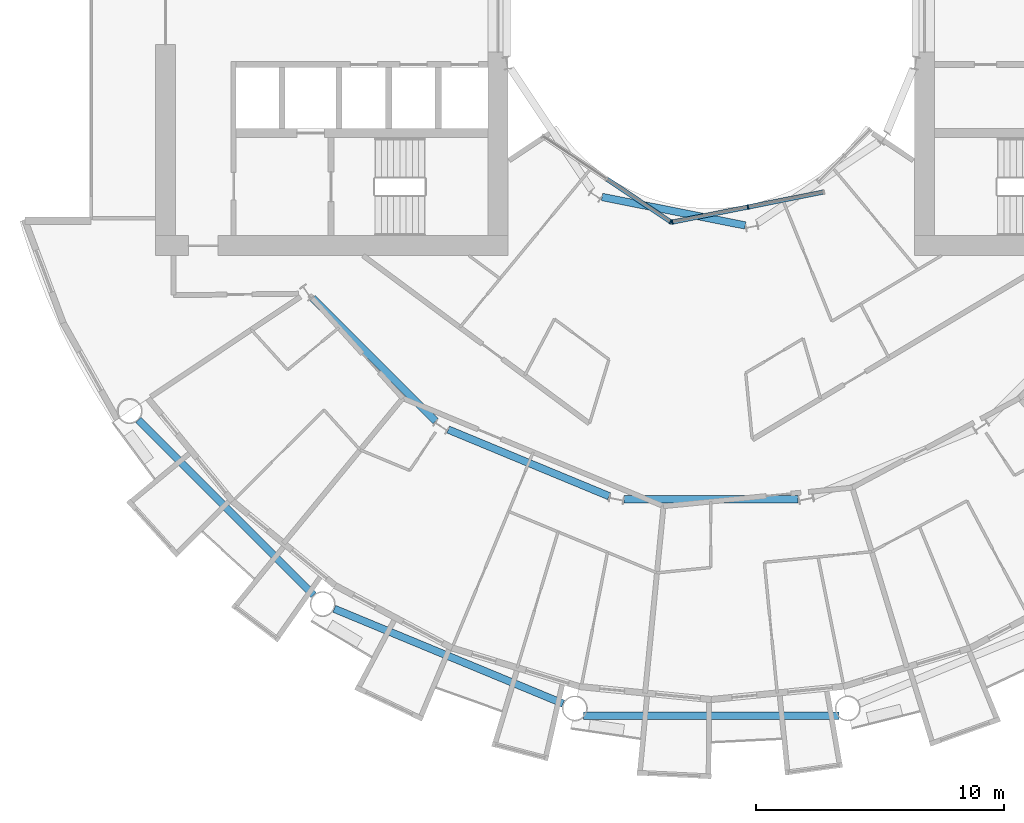
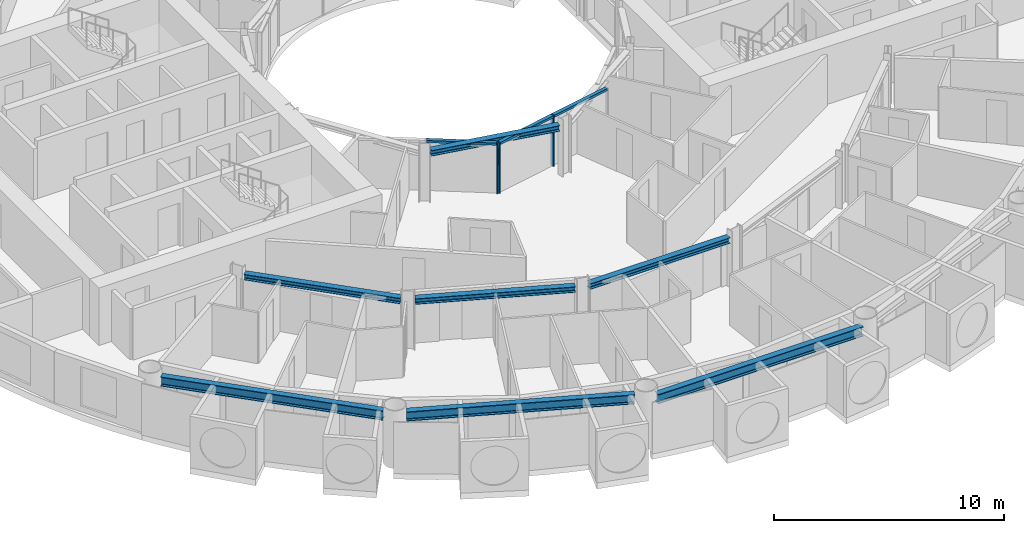
# One storey, part 4 of 26: 7 beams, 6 members, 2 elements without a shape of their own.
"""IFC4 building model written with IfcOpenShell, lengths in metres."""

import ifcopenshell
import ifcopenshell.guid

model = None  # the IFC model being written
_history = None  # IfcOwnerHistory: only IFC2X3 demands one
_inside = {}  # id of a spatial element -> (the spatial element, [elements in it])
_under = {}  # id of a project, library or spatial element -> (it, [spatial elements below it])
_declared = {}  # id of a project -> (the project, [libraries it declares])
_typed = {}  # id of a type object -> (the type object, [elements of that type])
_made_of = {}  # id of a material, layer set ... -> (it, [elements and type objects made of it])


def new_model(schema):
    """Start an empty IFC model of exactly this schema.

    Asked for "IFC4X3", IfcOpenShell would pick the latest addendum, in which some entities
    have other attributes; the version numbers below select the first issue.
    IFC2X3 requires an IfcOwnerHistory on every rooted entity: one is made here for all.
    """
    global model, _history
    if schema == "IFC4X3":
        model = ifcopenshell.file(schema_version=(4, 3, 0, 0))
    else:
        model = ifcopenshell.file(schema=schema)
    _inside.clear()
    _under.clear()
    _declared.clear()
    _typed.clear()
    _made_of.clear()
    _history = None
    if model.schema == "IFC2X3":
        org = make("IfcOrganization", Name="unknown")
        user = make(
            "IfcPersonAndOrganization",
            ThePerson=make("IfcPerson", FamilyName="unknown"),
            TheOrganization=org,
        )
        app = make(
            "IfcApplication",
            ApplicationDeveloper=org,
            Version="unknown",
            ApplicationFullName="unknown",
            ApplicationIdentifier="unknown",
        )
        _history = make(
            "IfcOwnerHistory",
            OwningUser=user,
            OwningApplication=app,
            ChangeAction="ADDED",
            CreationDate=0,
        )
    return model


def make(cls, **values):
    """One entity of the class cls with the attributes given. An attribute that is None is left unset."""
    return model.create_entity(
        cls, **{name: value for name, value in values.items() if value is not None}
    )


def rooted(cls, **values):
    """An entity with a GlobalId (a new one), such as an element, a storey or a relation."""
    return make(cls, GlobalId=ifcopenshell.guid.new(), OwnerHistory=_history, **values)


def si_unit(unit_type, name, prefix=None):
    """IfcSIUnit, for example si_unit("LENGTHUNIT", "METRE", prefix="MILLI")."""
    return make("IfcSIUnit", UnitType=unit_type, Prefix=prefix, Name=name)


def assignment(units):
    """IfcUnitAssignment: the units of a project."""
    return None if units is None else make("IfcUnitAssignment", Units=units)


def point(xyz):
    """IfcCartesianPoint."""
    return None if xyz is None else make("IfcCartesianPoint", Coordinates=xyz)


def direction(xyz):
    """IfcDirection."""
    return None if xyz is None else make("IfcDirection", DirectionRatios=xyz)


def frame(location, z_axis=None, x_axis=None):
    """IfcAxis2Placement3D, a coordinate frame: its origin and axes. An axis left out is left unset."""
    return make(
        "IfcAxis2Placement3D",
        Location=point(location),
        Axis=direction(z_axis),
        RefDirection=direction(x_axis),
    )


def frame_2d(location, x_axis=None):
    """IfcAxis2Placement2D, a coordinate frame in the plane: its origin and x axis."""
    return make(
        "IfcAxis2Placement2D", Location=point(location), RefDirection=direction(x_axis)
    )


def origin():
    """The frame at (0, 0, 0) with its axes left unset."""
    return frame((0.0, 0.0, 0.0))


def origin_2d():
    """The frame at (0, 0) in the plane with its x axis left unset."""
    return frame_2d((0.0, 0.0))


def place(relative_to, where):
    """IfcLocalPlacement: puts the frame where relative to a parent placement (None: the world)."""
    return make(
        "IfcLocalPlacement", PlacementRelTo=relative_to, RelativePlacement=where
    )


def context(
    kind, dimensions, precision=None, world=None, true_north=None, identifier=None
):
    """IfcGeometricRepresentationContext, for example the 3D "Model" context."""
    return make(
        "IfcGeometricRepresentationContext",
        ContextIdentifier=identifier,
        ContextType=kind,
        CoordinateSpaceDimension=dimensions,
        Precision=precision,
        WorldCoordinateSystem=world,
        TrueNorth=true_north,
    )


def subcontext(parent, identifier, kind, view, scale=None):
    """IfcGeometricRepresentationSubContext, for example "Body" below "Model"."""
    return make(
        "IfcGeometricRepresentationSubContext",
        ContextIdentifier=identifier,
        ContextType=kind,
        ParentContext=parent,
        TargetScale=scale,
        TargetView=view,
    )


def project(units=None, contexts=None):
    """IfcProject with its units and contexts."""
    return rooted(
        "IfcProject",
        Name="project",
        RepresentationContexts=contexts,
        UnitsInContext=assignment(units),
    )


def spatial(cls, under=None, at=None, **own):
    """A site, building, storey or space (cls), placed at a placement, below another one or the project."""
    s = rooted(cls, ObjectPlacement=at, **own)
    if under is not None:
        _under.setdefault(under.id(), (under, []))[1].append(s)
    return s


def profile(cls, at=None, kind="AREA", **sizes):
    """A parametric profile (cls). Its sizes go by their IFC names, for example OverallWidth=200.0."""
    return make(cls, ProfileType=kind, Position=at, **sizes)


def rectangle(**sizes):
    """IfcRectangleProfileDef."""
    return profile("IfcRectangleProfileDef", **sizes)


def i_section(**sizes):
    """IfcIShapeProfileDef."""
    return profile("IfcIShapeProfileDef", **sizes)


def extrude(swept, where, along, depth):
    """IfcExtrudedAreaSolid: the profile swept, set in the frame where, extruded along a direction by depth."""
    return make(
        "IfcExtrudedAreaSolid",
        SweptArea=swept,
        Position=where,
        ExtrudedDirection=direction(along),
        Depth=depth,
    )


def shape(context_of_items, identifier, shape_type, items):
    """IfcShapeRepresentation: the items that make up one representation, for example the "Body"."""
    return make(
        "IfcShapeRepresentation",
        ContextOfItems=context_of_items,
        RepresentationIdentifier=identifier,
        RepresentationType=shape_type,
        Items=items,
    )


def material(Name=None, Category=None):
    """IfcMaterial."""
    return make("IfcMaterial", Name=Name, Category=Category)


def layer(
    of_material, thickness, ventilated=None, Name=None, Category=None, Priority=None
):
    """IfcMaterialLayer: one layer of a wall or slab, of a material (None: an air gap)."""
    return make(
        "IfcMaterialLayer",
        Material=of_material,
        LayerThickness=thickness,
        IsVentilated=ventilated,
        Name=Name,
        Category=Category,
        Priority=Priority,
    )


def layer_set(layers, Name=None):
    """IfcMaterialLayerSet."""
    return make("IfcMaterialLayerSet", MaterialLayers=layers, LayerSetName=Name)


def material_profile(
    of_material, cross_section, Name=None, Category=None, Priority=None
):
    """IfcMaterialProfile: a cross section and its material."""
    return make(
        "IfcMaterialProfile",
        Name=Name,
        Material=of_material,
        Profile=cross_section,
        Priority=Priority,
        Category=Category,
    )


def profile_set(profiles, Name=None, composite=None):
    """IfcMaterialProfileSet."""
    return make(
        "IfcMaterialProfileSet",
        Name=Name,
        MaterialProfiles=profiles,
        CompositeProfile=composite,
    )


def made_of(thing, what):
    """Note that an element or type object is made of a material, layer set ...; save() writes the relation."""
    if what is not None:
        _made_of.setdefault(what.id(), (what, []))[1].append(thing)
    return thing


def type_object(cls, material=None, **own):
    """A type object (cls), such as IfcWallType, which elements share."""
    return made_of(rooted(cls, **own), material)


def element(
    cls,
    number,
    at=None,
    inside=None,
    cuts=None,
    type_object=None,
    material=None,
    context=None,
    identifier="Body",
    shape_type=None,
    held_by="IfcProductDefinitionShape",
    body=None,
    shapes=None,
    **own,
):
    """One element of the class cls, such as IfcWall. Its Tag is "e" and its number.

    at: its placement. inside: the storey or other place that contains it. cuts: it is an
    opening in that element (IfcRelVoidsElement). A single representation is given by context,
    identifier, shape_type and body (its items); several are given by shapes. held_by: the class
    of the entity that holds the representations. save() writes the other relations.
    """
    e = rooted(cls, Tag="e%d" % number, ObjectPlacement=at, **own)
    if body is not None:
        shapes = [shape(context, identifier, shape_type, body)]
    if shapes is not None:
        e.Representation = make(held_by, Representations=shapes)
    if inside is not None:
        _inside.setdefault(inside.id(), (inside, []))[1].append(e)
    if cuts is not None:
        rooted(
            "IfcRelVoidsElement", RelatingBuildingElement=cuts, RelatedOpeningElement=e
        )
    if type_object is not None:
        _typed.setdefault(type_object.id(), (type_object, []))[1].append(e)
    return made_of(e, material)


def aggregate(whole, parts):
    """IfcRelAggregates: a whole, such as a stair, and the parts it consists of."""
    return rooted("IfcRelAggregates", RelatingObject=whole, RelatedObjects=parts)


def save(model, path):
    """Write the relations noted so far, then the file.

    IfcRelAggregates (storeys below a building ...), IfcRelContainedInSpatialStructure (elements
    in a storey), IfcRelDefinesByType, IfcRelAssociatesMaterial and IfcRelDeclares: one each for
    every whole, place, type object, material and project.
    """
    for whole, parts in _under.values():
        aggregate(whole, parts)
    for where, things in _inside.values():
        rooted(
            "IfcRelContainedInSpatialStructure",
            RelatedElements=things,
            RelatingStructure=where,
        )
    for kind, things in _typed.values():
        rooted("IfcRelDefinesByType", RelatedObjects=things, RelatingType=kind)
    for what, things in _made_of.values():
        rooted("IfcRelAssociatesMaterial", RelatedObjects=things, RelatingMaterial=what)
    for by, libraries in _declared.values():
        rooted("IfcRelDeclares", RelatingContext=by, RelatedDefinitions=libraries)
    model.write(path)


model = new_model("IFC4")

# Units and contexts
model_context = context("Model", 3, precision=1e-05, world=origin(), true_north=direction((0.0, 1.0)))
body_context = subcontext(model_context, "Body", "Model", "MODEL_VIEW")
ifc_project = project(units=[si_unit("LENGTHUNIT", "METRE"), si_unit("AREAUNIT", "SQUARE_METRE"), si_unit("VOLUMEUNIT", "CUBIC_METRE"), si_unit("PLANEANGLEUNIT", "RADIAN"), si_unit("MASSUNIT", "GRAM", prefix="KILO")], contexts=[model_context])

# Site, building, storey
site_placement = place(None, origin())
site = spatial("IfcSite", under=ifc_project, at=site_placement, CompositionType="ELEMENT")
building_placement = place(site_placement, origin())
building = spatial("IfcBuilding", under=site, at=building_placement, Name="Maasbend Ring Residences", CompositionType="ELEMENT")
storey_placement = place(building_placement, frame((0.0, 0.0, 50.25)))
storey = spatial("IfcBuildingStorey", under=building, at=storey_placement, Name="L14", CompositionType="ELEMENT", Elevation=50.25)

# Curtain wall, member
ifc_material_1 = material(Name="Aluminium and clear glass", Category="aluminium")
ifc_layer = layer(ifc_material_1, 0.179931640625)
ifc_layer_set = layer_set([ifc_layer], Name="CW-W")
curtain_wall_type = type_object("IfcCurtainWallType", Name="CW-W", PredefinedType="NOTDEFINED", material=ifc_layer_set)
curtain_wall_1_placement = place(storey_placement, origin())
curtain_wall_1 = element("IfcCurtainWall", 1, at=curtain_wall_1_placement, inside=storey, type_object=curtain_wall_type, Name="Well curtain wall S1", PredefinedType="NOTDEFINED")
ifc_material_2 = material(Name="Aluminium 6063-T6", Category="aluminium")
ifc_material_profile_1 = material_profile(ifc_material_2, rectangle(XDim=0.179931640625, YDim=0.06005859375, at=origin_2d()), Name="AL 180x60")
ifc_profile_set_1 = profile_set([ifc_material_profile_1], Name="Aluminium 6063-T6")
member_type_1 = type_object("IfcMemberType", Name="CWM-W", PredefinedType="MULLION", material=ifc_profile_set_1)
member_1_placement = place(storey_placement, frame((-1.627685546875, -8.040771484375, 0.0), z_axis=(0.0, 0.0, 1.0), x_axis=(0.55557023302, 0.831469612303, 0.0)))
member_1 = element("IfcMember", 2, at=member_1_placement, type_object=member_type_1, Name="Mullion well face", PredefinedType="MULLION", context=body_context, shape_type="SweptSolid", body=[
    extrude(rectangle(XDim=0.179931640625, YDim=0.06005859375, at=origin_2d()), origin(), (0.0, 0.0, 1.0), 2.699951171875),
])

# Curtain wall, members
curtain_wall_2_placement = place(storey_placement, origin())
curtain_wall_2 = element("IfcCurtainWall", 3, at=curtain_wall_2_placement, inside=storey, type_object=curtain_wall_type, Name="Well curtain wall S2", PredefinedType="NOTDEFINED")
member_2_placement = place(storey_placement, frame((-1.5732421875, -8.0517578125, 0.0), z_axis=(0.0, 0.0, 1.0), x_axis=(-0.195090322016, 0.980785280403, 0.0)))
member_2 = element("IfcMember", 4, at=member_2_placement, type_object=member_type_1, Name="Mullion well face", PredefinedType="MULLION", context=body_context, shape_type="SweptSolid", body=[
    extrude(rectangle(XDim=0.179931640625, YDim=0.06005859375, at=origin_2d()), origin(), (0.0, 0.0, 1.0), 2.699951171875),
])
member_3_placement = place(storey_placement, frame((1.480712890625, -7.444091796875, 0.0), z_axis=(0.0, 0.0, 1.0), x_axis=(-0.195090322016, 0.980785280403, 0.0)))
member_3 = element("IfcMember", 5, at=member_3_placement, type_object=member_type_1, Name="Mullion well face", PredefinedType="MULLION", context=body_context, shape_type="SweptSolid", body=[
    extrude(rectangle(XDim=0.179931640625, YDim=0.06005859375, at=origin_2d()), origin(), (0.0, 0.0, 1.0), 2.699951171875),
])

# Member
ifc_material_3 = material(Name="Aluminium 6063-T6", Category="aluminium")
ifc_material_profile_2 = material_profile(ifc_material_3, rectangle(XDim=0.179931640625, YDim=0.1201171875, at=origin_2d()), Name="AL 180x120")
ifc_profile_set_2 = profile_set([ifc_material_profile_2], Name="Aluminium 6063-T6")
member_type_2 = type_object("IfcMemberType", Name="CWT-W", PredefinedType="USERDEFINED", material=ifc_profile_set_2)
member_4_placement = place(storey_placement, frame((-4.19189453125, -6.32763671875, 2.639892578125), z_axis=(0.831496422459, -0.555530106689, 0.0), x_axis=(0.555530106689, 0.831496422459, 0.0)))
member_4 = element("IfcMember", 6, at=member_4_placement, type_object=member_type_2, Name="Transom well face", ObjectType="TRANSOM", PredefinedType="USERDEFINED", context=body_context, shape_type="SweptSolid", body=[
    extrude(rectangle(XDim=0.179931640625, YDim=0.1201171875, at=origin_2d()), origin(), (0.0, 0.0, 1.0), 3.053955078125),
])

aggregate(curtain_wall_1, [member_1, member_4])

member_5_placement = place(storey_placement, frame((-1.5439453125, -8.0458984375, 2.639892578125), z_axis=(0.980776956105, 0.195132166424, 0.0), x_axis=(-0.195132166424, 0.980776956105, 0.0)))
member_5 = element("IfcMember", 7, at=member_5_placement, type_object=member_type_2, Name="Transom well face", ObjectType="TRANSOM", PredefinedType="USERDEFINED", context=body_context, shape_type="SweptSolid", body=[
    extrude(rectangle(XDim=0.179931640625, YDim=0.1201171875, at=origin_2d()), origin(), (0.0, 0.0, 1.0), 3.053955078125),
])

member_6_placement = place(storey_placement, frame((1.51025390625, -7.438232421875, 2.639892578125), z_axis=(0.980789210404, 0.19507056353, 0.0), x_axis=(-0.19507056353, 0.980789210404, 0.0)))
member_6 = element("IfcMember", 8, at=member_6_placement, type_object=member_type_2, Name="Transom well face", ObjectType="TRANSOM", PredefinedType="USERDEFINED", context=body_context, shape_type="SweptSolid", body=[
    extrude(rectangle(XDim=0.179931640625, YDim=0.1201171875, at=origin_2d()), origin(), (0.0, 0.0, 1.0), 3.0537109375),
])

aggregate(curtain_wall_2, [member_2, member_3, member_5, member_6])

# Beams
ifc_material_4 = material(Name="Steel S355J2", Category="steel")
ifc_material_profile_3 = material_profile(ifc_material_4, i_section(OverallWidth=0.300048828125, OverallDepth=0.300048828125, WebThickness=0.010986328125, FlangeThickness=0.01904296875, FilletRadius=0.027099609375, at=origin_2d()), Name="HEB 300")
ifc_profile_set_3 = profile_set([ifc_material_profile_3], Name="Steel S355J2")
beam_type_1 = type_object("IfcBeamType", Name="Corridor ring beam HEB 300", PredefinedType="BEAM", material=ifc_profile_set_3)
beam_1_placement = place(storey_placement, frame((-16.0732421875, -11.11279296875, 2.550048828125), z_axis=(0.707106781187, -0.707106781187, 0.0), x_axis=(0.707106781187, 0.707106781187, 0.0)))
element("IfcBeam", 9, at=beam_1_placement, inside=storey, type_object=beam_type_1, Name="Corridor ring beam", PredefinedType="BEAM", context=body_context, shape_type="SweptSolid", body=[
    extrude(i_section(OverallWidth=0.300048828125, OverallDepth=0.300048828125, WebThickness=0.010986328125, FlangeThickness=0.01904296875, FilletRadius=0.027099609375, at=origin_2d()), origin(), (0.0, 0.0, 1.0), 7.01513671875),
])
beam_2_placement = place(storey_placement, frame((-10.59716796875, -16.417724609375, 2.550048828125), z_axis=(0.923886196809, -0.38266734293, 0.0), x_axis=(0.38266734293, 0.923886196809, 0.0)))
element("IfcBeam", 10, at=beam_2_placement, inside=storey, type_object=beam_type_1, Name="Corridor ring beam", PredefinedType="BEAM", context=body_context, shape_type="SweptSolid", body=[
    extrude(i_section(OverallWidth=0.300048828125, OverallDepth=0.300048828125, WebThickness=0.010986328125, FlangeThickness=0.01904296875, FilletRadius=0.027099609375, at=origin_2d()), origin(), (0.0, 0.0, 1.0), 7.015380859375),
])
beam_3_placement = place(storey_placement, frame((-3.5078125, -19.223388671875, 2.550048828125), z_axis=(1.0, 0.0, 0.0), x_axis=(0.0, 1.0, 0.0)))
element("IfcBeam", 11, at=beam_3_placement, inside=storey, type_object=beam_type_1, Name="Corridor ring beam", PredefinedType="BEAM", context=body_context, shape_type="SweptSolid", body=[
    extrude(i_section(OverallWidth=0.300048828125, OverallDepth=0.300048828125, WebThickness=0.010986328125, FlangeThickness=0.01904296875, FilletRadius=0.027099609375, at=origin_2d()), origin(), (0.0, 0.0, 1.0), 7.015625),
])
ifc_material_5 = material(Name="Steel S355J2", Category="steel")
ifc_material_profile_4 = material_profile(ifc_material_5, i_section(OverallWidth=0.300048828125, OverallDepth=0.5, WebThickness=0.014404296875, FlangeThickness=0.028076171875, FilletRadius=0.027099609375, at=origin_2d()), Name="HEB 500")
ifc_profile_set_4 = profile_set([ifc_material_profile_4], Name="Steel S355J2")
beam_type_2 = type_object("IfcBeamType", Name="Spandrel ring beam HEB 500", PredefinedType="SPANDREL", material=ifc_profile_set_4)
beam_4_placement = place(storey_placement, frame((-23.088134765625, -16.0263671875, 2.449951171875), z_axis=(0.707106781187, -0.707106781187, 0.0), x_axis=(0.707106781187, 0.707106781187, 0.0)))
element("IfcBeam", 12, at=beam_4_placement, inside=storey, type_object=beam_type_2, Name="Spandrel ring beam", PredefinedType="SPANDREL", context=body_context, shape_type="SweptSolid", body=[
    extrude(i_section(OverallWidth=0.300048828125, OverallDepth=0.5, WebThickness=0.014404296875, FlangeThickness=0.028076171875, FilletRadius=0.027099609375, at=origin_2d()), origin(), (0.0, 0.0, 1.0), 9.98681640625),
])
beam_5_placement = place(storey_placement, frame((-15.19775390625, -23.641845703125, 2.449951171875), z_axis=(0.923886337442, -0.382667003395, 0.0), x_axis=(0.382667003395, 0.923886337442, 0.0)))
element("IfcBeam", 13, at=beam_5_placement, inside=storey, type_object=beam_type_2, Name="Spandrel ring beam", PredefinedType="SPANDREL", context=body_context, shape_type="SweptSolid", body=[
    extrude(i_section(OverallWidth=0.300048828125, OverallDepth=0.5, WebThickness=0.014404296875, FlangeThickness=0.028076171875, FilletRadius=0.027099609375, at=origin_2d()), origin(), (0.0, 0.0, 1.0), 9.9873046875),
])
beam_6_placement = place(storey_placement, frame((-5.1435546875, -27.9580078125, 2.449951171875), z_axis=(1.0, 0.0, 0.0), x_axis=(0.0, 1.0, 0.0)))
element("IfcBeam", 14, at=beam_6_placement, inside=storey, type_object=beam_type_2, Name="Spandrel ring beam", PredefinedType="SPANDREL", context=body_context, shape_type="SweptSolid", body=[
    extrude(i_section(OverallWidth=0.300048828125, OverallDepth=0.5, WebThickness=0.014404296875, FlangeThickness=0.028076171875, FilletRadius=0.027099609375, at=origin_2d()), origin(), (0.0, 0.0, 1.0), 10.287109375),
])
ifc_material_6 = material(Name="Steel S355J2", Category="steel")
ifc_material_profile_5 = material_profile(ifc_material_6, i_section(OverallWidth=0.300048828125, OverallDepth=0.300048828125, WebThickness=0.010986328125, FlangeThickness=0.01904296875, FilletRadius=0.027099609375, at=origin_2d()), Name="HEB 300")
ifc_profile_set_5 = profile_set([ifc_material_profile_5], Name="Steel S355J2")
beam_type_3 = type_object("IfcBeamType", Name="Well edge beam HEB 300", PredefinedType="BEAM", material=ifc_profile_set_5)
beam_7_placement = place(storey_placement, frame((-4.4013671875, -7.037109375, 2.550048828125), z_axis=(0.980784282486, -0.195095338819, 0.0), x_axis=(0.195095338819, 0.980784282486, 0.0)))
element("IfcBeam", 15, at=beam_7_placement, inside=storey, type_object=beam_type_3, Name="Well edge beam", PredefinedType="BEAM", context=body_context, shape_type="SweptSolid", body=[
    extrude(i_section(OverallWidth=0.300048828125, OverallDepth=0.300048828125, WebThickness=0.010986328125, FlangeThickness=0.01904296875, FilletRadius=0.027099609375, at=origin_2d()), origin(), (0.0, 0.0, 1.0), 5.8876953125),
])

save(model, "model.ifc")
